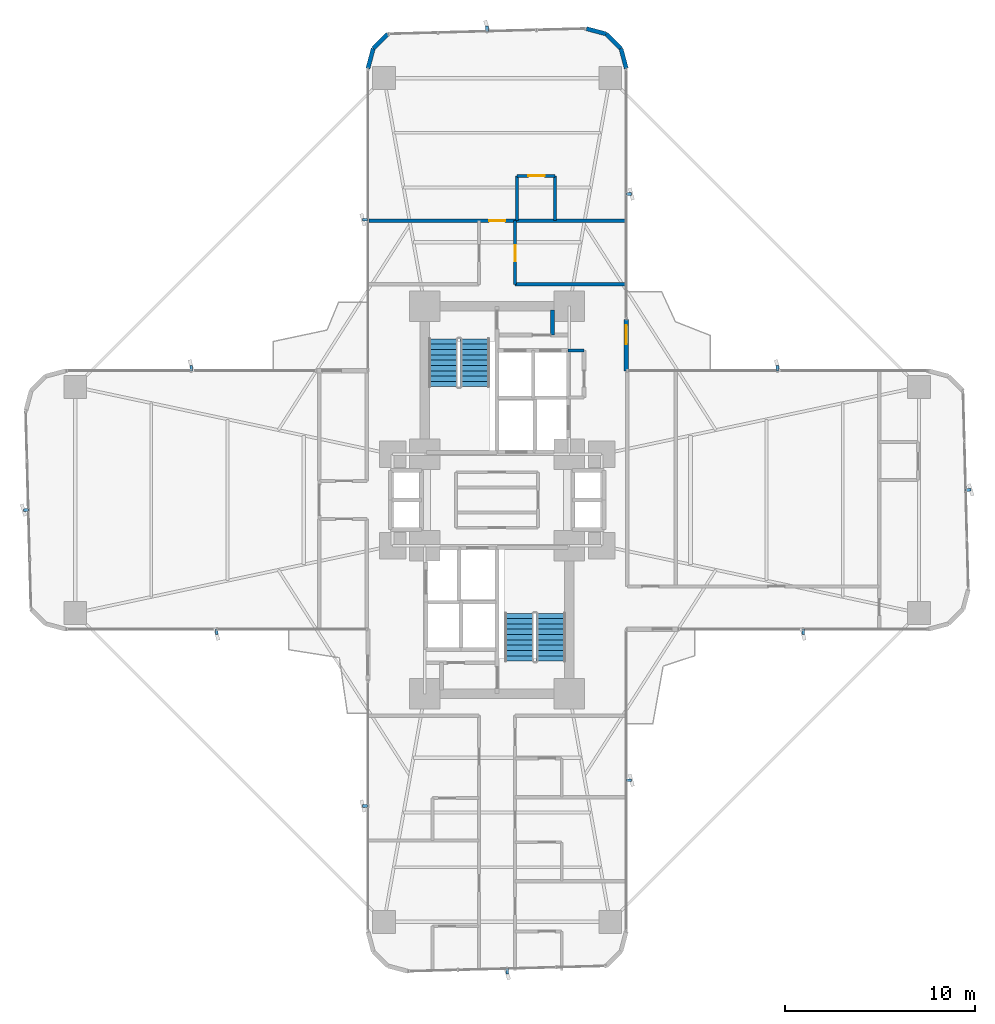
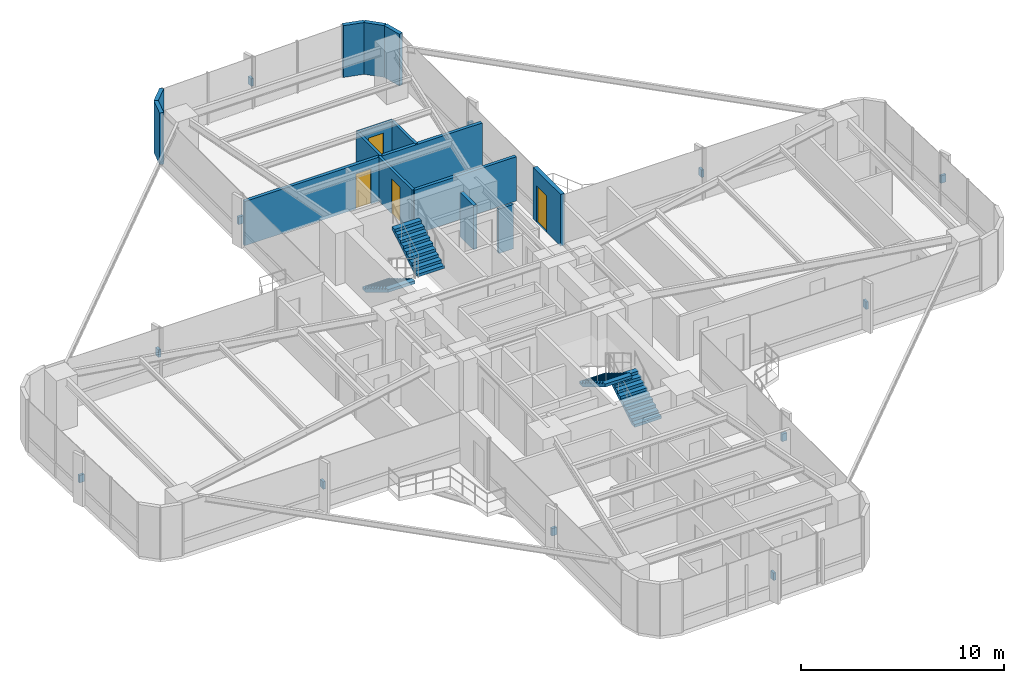
# One storey, part 24 of 25: 14 walls, 12 discrete accessories, 4 doors, 4 stair flights, 4 openings, 2 elements without a shape of their own.
"""IFC4 building model written with IfcOpenShell, lengths in metres."""

import ifcopenshell
import ifcopenshell.guid

model = None  # the IFC model being written
_history = None  # IfcOwnerHistory: only IFC2X3 demands one
_inside = {}  # id of a spatial element -> (the spatial element, [elements in it])
_under = {}  # id of a project, library or spatial element -> (it, [spatial elements below it])
_declared = {}  # id of a project -> (the project, [libraries it declares])
_typed = {}  # id of a type object -> (the type object, [elements of that type])
_made_of = {}  # id of a material, layer set ... -> (it, [elements and type objects made of it])


def new_model(schema):
    """Start an empty IFC model of exactly this schema.

    Asked for "IFC4X3", IfcOpenShell would pick the latest addendum, in which some entities
    have other attributes; the version numbers below select the first issue.
    IFC2X3 requires an IfcOwnerHistory on every rooted entity: one is made here for all.
    """
    global model, _history
    if schema == "IFC4X3":
        model = ifcopenshell.file(schema_version=(4, 3, 0, 0))
    else:
        model = ifcopenshell.file(schema=schema)
    _inside.clear()
    _under.clear()
    _declared.clear()
    _typed.clear()
    _made_of.clear()
    _history = None
    if model.schema == "IFC2X3":
        org = make("IfcOrganization", Name="unknown")
        user = make(
            "IfcPersonAndOrganization",
            ThePerson=make("IfcPerson", FamilyName="unknown"),
            TheOrganization=org,
        )
        app = make(
            "IfcApplication",
            ApplicationDeveloper=org,
            Version="unknown",
            ApplicationFullName="unknown",
            ApplicationIdentifier="unknown",
        )
        _history = make(
            "IfcOwnerHistory",
            OwningUser=user,
            OwningApplication=app,
            ChangeAction="ADDED",
            CreationDate=0,
        )
    return model


def make(cls, **values):
    """One entity of the class cls with the attributes given. An attribute that is None is left unset."""
    return model.create_entity(
        cls, **{name: value for name, value in values.items() if value is not None}
    )


def rooted(cls, **values):
    """An entity with a GlobalId (a new one), such as an element, a storey or a relation."""
    return make(cls, GlobalId=ifcopenshell.guid.new(), OwnerHistory=_history, **values)


def si_unit(unit_type, name, prefix=None):
    """IfcSIUnit, for example si_unit("LENGTHUNIT", "METRE", prefix="MILLI")."""
    return make("IfcSIUnit", UnitType=unit_type, Prefix=prefix, Name=name)


def assignment(units):
    """IfcUnitAssignment: the units of a project."""
    return None if units is None else make("IfcUnitAssignment", Units=units)


def point(xyz):
    """IfcCartesianPoint."""
    return None if xyz is None else make("IfcCartesianPoint", Coordinates=xyz)


def direction(xyz):
    """IfcDirection."""
    return None if xyz is None else make("IfcDirection", DirectionRatios=xyz)


def frame(location, z_axis=None, x_axis=None):
    """IfcAxis2Placement3D, a coordinate frame: its origin and axes. An axis left out is left unset."""
    return make(
        "IfcAxis2Placement3D",
        Location=point(location),
        Axis=direction(z_axis),
        RefDirection=direction(x_axis),
    )


def frame_2d(location, x_axis=None):
    """IfcAxis2Placement2D, a coordinate frame in the plane: its origin and x axis."""
    return make(
        "IfcAxis2Placement2D", Location=point(location), RefDirection=direction(x_axis)
    )


def origin():
    """The frame at (0, 0, 0) with its axes left unset."""
    return frame((0.0, 0.0, 0.0))


def origin_2d():
    """The frame at (0, 0) in the plane with its x axis left unset."""
    return frame_2d((0.0, 0.0))


def place(relative_to, where):
    """IfcLocalPlacement: puts the frame where relative to a parent placement (None: the world)."""
    return make(
        "IfcLocalPlacement", PlacementRelTo=relative_to, RelativePlacement=where
    )


def context(
    kind, dimensions, precision=None, world=None, true_north=None, identifier=None
):
    """IfcGeometricRepresentationContext, for example the 3D "Model" context."""
    return make(
        "IfcGeometricRepresentationContext",
        ContextIdentifier=identifier,
        ContextType=kind,
        CoordinateSpaceDimension=dimensions,
        Precision=precision,
        WorldCoordinateSystem=world,
        TrueNorth=true_north,
    )


def subcontext(parent, identifier, kind, view, scale=None):
    """IfcGeometricRepresentationSubContext, for example "Body" below "Model"."""
    return make(
        "IfcGeometricRepresentationSubContext",
        ContextIdentifier=identifier,
        ContextType=kind,
        ParentContext=parent,
        TargetScale=scale,
        TargetView=view,
    )


def project(units=None, contexts=None):
    """IfcProject with its units and contexts."""
    return rooted(
        "IfcProject",
        Name="project",
        RepresentationContexts=contexts,
        UnitsInContext=assignment(units),
    )


def spatial(cls, under=None, at=None, **own):
    """A site, building, storey or space (cls), placed at a placement, below another one or the project."""
    s = rooted(cls, ObjectPlacement=at, **own)
    if under is not None:
        _under.setdefault(under.id(), (under, []))[1].append(s)
    return s


def polyline(points):
    """IfcPolyline through the points."""
    return make("IfcPolyline", Points=[point(p) for p in points])


def profile(cls, at=None, kind="AREA", **sizes):
    """A parametric profile (cls). Its sizes go by their IFC names, for example OverallWidth=200.0."""
    return make(cls, ProfileType=kind, Position=at, **sizes)


def rectangle(**sizes):
    """IfcRectangleProfileDef."""
    return profile("IfcRectangleProfileDef", **sizes)


def outline(outer, holes=None, kind="AREA"):
    """IfcArbitraryClosedProfileDef: a profile drawn as a closed curve; with holes, ...WithVoids."""
    if holes is None:
        return make("IfcArbitraryClosedProfileDef", ProfileType=kind, OuterCurve=outer)
    return make(
        "IfcArbitraryProfileDefWithVoids",
        ProfileType=kind,
        OuterCurve=outer,
        InnerCurves=holes,
    )


def extrude(swept, where, along, depth):
    """IfcExtrudedAreaSolid: the profile swept, set in the frame where, extruded along a direction by depth."""
    return make(
        "IfcExtrudedAreaSolid",
        SweptArea=swept,
        Position=where,
        ExtrudedDirection=direction(along),
        Depth=depth,
    )


def shape(context_of_items, identifier, shape_type, items):
    """IfcShapeRepresentation: the items that make up one representation, for example the "Body"."""
    return make(
        "IfcShapeRepresentation",
        ContextOfItems=context_of_items,
        RepresentationIdentifier=identifier,
        RepresentationType=shape_type,
        Items=items,
    )


def source(mapping_origin, context_of_items, identifier, shape_type, items):
    """IfcRepresentationMap: a shape defined once, which mapped items show again and again."""
    return make(
        "IfcRepresentationMap",
        MappingOrigin=mapping_origin,
        MappedRepresentation=shape(context_of_items, identifier, shape_type, items),
    )


def transform(
    local_origin,
    x_axis=None,
    y_axis=None,
    z_axis=None,
    scale=None,
    scale2=None,
    scale3=None,
    uniform=True,
):
    """IfcCartesianTransformationOperator3D, or its non-uniform kind. x_axis, y_axis, z_axis: its Axis1, 2, 3."""
    if uniform:
        return make(
            "IfcCartesianTransformationOperator3D",
            Axis1=direction(x_axis),
            Axis2=direction(y_axis),
            LocalOrigin=point(local_origin),
            Scale=scale,
            Axis3=direction(z_axis),
        )
    return make(
        "IfcCartesianTransformationOperator3DnonUniform",
        Axis1=direction(x_axis),
        Axis2=direction(y_axis),
        LocalOrigin=point(local_origin),
        Scale=scale,
        Axis3=direction(z_axis),
        Scale2=scale2,
        Scale3=scale3,
    )


def mapped(mapping_source, mapping_target):
    """IfcMappedItem: shows the shape of a source again, moved by a transform."""
    return make(
        "IfcMappedItem", MappingSource=mapping_source, MappingTarget=mapping_target
    )


def material(Name=None, Category=None):
    """IfcMaterial."""
    return make("IfcMaterial", Name=Name, Category=Category)


def layer(
    of_material, thickness, ventilated=None, Name=None, Category=None, Priority=None
):
    """IfcMaterialLayer: one layer of a wall or slab, of a material (None: an air gap)."""
    return make(
        "IfcMaterialLayer",
        Material=of_material,
        LayerThickness=thickness,
        IsVentilated=ventilated,
        Name=Name,
        Category=Category,
        Priority=Priority,
    )


def layer_set(layers, Name=None):
    """IfcMaterialLayerSet."""
    return make("IfcMaterialLayerSet", MaterialLayers=layers, LayerSetName=Name)


def made_of(thing, what):
    """Note that an element or type object is made of a material, layer set ...; save() writes the relation."""
    if what is not None:
        _made_of.setdefault(what.id(), (what, []))[1].append(thing)
    return thing


def type_object(cls, material=None, **own):
    """A type object (cls), such as IfcWallType, which elements share."""
    return made_of(rooted(cls, **own), material)


def element(
    cls,
    number,
    at=None,
    inside=None,
    cuts=None,
    type_object=None,
    material=None,
    context=None,
    identifier="Body",
    shape_type=None,
    held_by="IfcProductDefinitionShape",
    body=None,
    shapes=None,
    **own,
):
    """One element of the class cls, such as IfcWall. Its Tag is "e" and its number.

    at: its placement. inside: the storey or other place that contains it. cuts: it is an
    opening in that element (IfcRelVoidsElement). A single representation is given by context,
    identifier, shape_type and body (its items); several are given by shapes. held_by: the class
    of the entity that holds the representations. save() writes the other relations.
    """
    e = rooted(cls, Tag="e%d" % number, ObjectPlacement=at, **own)
    if body is not None:
        shapes = [shape(context, identifier, shape_type, body)]
    if shapes is not None:
        e.Representation = make(held_by, Representations=shapes)
    if inside is not None:
        _inside.setdefault(inside.id(), (inside, []))[1].append(e)
    if cuts is not None:
        rooted(
            "IfcRelVoidsElement", RelatingBuildingElement=cuts, RelatedOpeningElement=e
        )
    if type_object is not None:
        _typed.setdefault(type_object.id(), (type_object, []))[1].append(e)
    return made_of(e, material)


def fill(opening, filler):
    """IfcRelFillsElement: the door or window that sits in an opening."""
    return rooted(
        "IfcRelFillsElement",
        RelatingOpeningElement=opening,
        RelatedBuildingElement=filler,
    )


def aggregate(whole, parts):
    """IfcRelAggregates: a whole, such as a stair, and the parts it consists of."""
    return rooted("IfcRelAggregates", RelatingObject=whole, RelatedObjects=parts)


def save(model, path):
    """Write the relations noted so far, then the file.

    IfcRelAggregates (storeys below a building ...), IfcRelContainedInSpatialStructure (elements
    in a storey), IfcRelDefinesByType, IfcRelAssociatesMaterial and IfcRelDeclares: one each for
    every whole, place, type object, material and project.
    """
    for whole, parts in _under.values():
        aggregate(whole, parts)
    for where, things in _inside.values():
        rooted(
            "IfcRelContainedInSpatialStructure",
            RelatedElements=things,
            RelatingStructure=where,
        )
    for kind, things in _typed.values():
        rooted("IfcRelDefinesByType", RelatedObjects=things, RelatingType=kind)
    for what, things in _made_of.values():
        rooted("IfcRelAssociatesMaterial", RelatedObjects=things, RelatingMaterial=what)
    for by, libraries in _declared.values():
        rooted("IfcRelDeclares", RelatingContext=by, RelatedDefinitions=libraries)
    model.write(path)


model = new_model("IFC4")

# Units and contexts
model_context = context("Model", 3, precision=1e-05, world=origin(), true_north=direction((0.0, 1.0)))
body_context = subcontext(model_context, "Body", "Model", "MODEL_VIEW")
ifc_project = project(units=[si_unit("LENGTHUNIT", "METRE"), si_unit("AREAUNIT", "SQUARE_METRE"), si_unit("VOLUMEUNIT", "CUBIC_METRE"), si_unit("PLANEANGLEUNIT", "RADIAN"), si_unit("MASSUNIT", "GRAM", prefix="KILO")], contexts=[model_context])

# Site, building, storey
site_placement = place(None, origin())
site = spatial("IfcSite", under=ifc_project, at=site_placement, CompositionType="ELEMENT")
building_placement = place(site_placement, origin())
building = spatial("IfcBuilding", under=site, at=building_placement, Name="Sahyath Konkavel Grand Hotel", CompositionType="ELEMENT")
storey_placement = place(building_placement, frame((0.0, 0.0, 64.449951171875)))
storey = spatial("IfcBuildingStorey", under=building, at=storey_placement, Name="L17", CompositionType="ELEMENT", Elevation=64.449951171875)

# Wall, opening, door
ifc_material_1 = material(Name="Warm Buff Sandstone Insulated Concrete C40/50", Category="masonry")
ifc_layer_1 = layer(ifc_material_1, 0.219970703125)
ifc_layer_set_1 = layer_set([ifc_layer_1], Name="Warm Buff Sandstone Insulated Concrete C40/50")
wall_type_1 = type_object("IfcWallType", Name="WLL-BALC-THRESH", PredefinedType="STANDARD", material=ifc_layer_set_1)
wall_1_placement = place(storey_placement, frame((6.800048828125, 6.800048828125, 0.0), z_axis=(0.0, 0.0, 1.0), x_axis=(0.0, 1.0, 0.0)))
wall_1 = element("IfcWall", 1, at=wall_1_placement, inside=storey, type_object=wall_type_1, Name="L17 Winter-Garden Threshold Wall 8", PredefinedType="STANDARD", context=body_context, shape_type="SweptSolid", body=[
    extrude(rectangle(XDim=2.699951171875, YDim=0.219970703125, at=frame_2d((1.35009765625, 0.0))), origin(), (0.0, 0.0, 1.0), 3.110107421875),
])
opening_1_placement = place(wall_1_placement, frame((1.39990234375, 0.0, 0.0)))
opening_1 = element("IfcOpeningElement", 2, at=opening_1_placement, cuts=wall_1, Name="Opening D-TR1", PredefinedType="OPENING", context=body_context, shape_type="SweptSolid", body=[
    extrude(rectangle(XDim=1.0, YDim=2.199951171875, at=frame_2d((0.5, 1.10009765625))), frame((0.0, 0.1201171875, 0.0), z_axis=(0.0, -1.0, 0.0), x_axis=(1.0, 0.0, 0.0)), (0.0, 0.0, 1.0), 0.239990234375),
])
ifc_material_2 = material(Name="Anodised Bronze Aluminium & Low-E Glazing", Category="aluminium")
door_type_1 = type_object("IfcDoorType", Name="DR-TERRACE-1000", OperationType="NOTDEFINED", PredefinedType="DOOR", material=ifc_material_2)
shared_shape_1 = source(origin(), body_context, "Body", "SweptSolid", [
    extrude(rectangle(XDim=1.0, YDim=0.050048828125, at=origin_2d()), origin(), (0.0, 0.0, 1.0), 2.199951171875),
])
door_1_placement = place(opening_1_placement, frame((0.5, 0.0, 0.0)))
door_1 = element("IfcDoor", 3, at=door_1_placement, inside=storey, type_object=door_type_1, Name="L17 Winter-Garden Terrace Door 8", OperationType="SINGLE_SWING_LEFT", OverallHeight=2.199951171875, OverallWidth=1.0, PredefinedType="DOOR", context=body_context, shape_type="MappedRepresentation", body=[
    mapped(shared_shape_1, transform((0.0, 0.0, 0.0), scale=1.0)),
])
fill(opening_1, door_1)

# Walls
for number, where, z_axis, x_axis, name in (
    (4, (6.800048828125, 22.699951171875, 0.0), (0.0, 0.0, 1.0), (-0.25872485917, 0.965951058412, 0.0), "L17 Rounded Corner Sandstone Pier 9"),
    (5, (6.518798828125, 23.75, 0.0), (0.0, 0.0, 1.0), (-0.707106781187, 0.707106781187, 0.0), "L17 Rounded Corner Sandstone Pier 10"),
    (6, (5.75, 24.518798828125, 0.0), (0.0, 0.0, 1.0), (-0.965951058412, 0.25872485917, 0.0), "L17 Rounded Corner Sandstone Pier 11"),
    (7, (-5.75, 24.518798828125, 0.0), (0.0, 0.0, 1.0), (-0.707106781187, -0.707106781187, 0.0), "L17 Rounded Corner Sandstone Pier 13"),
    (8, (-6.518798828125, 23.75, 0.0), (0.0, 0.0, 1.0), (-0.25872485917, -0.965951058412, 0.0), "L17 Rounded Corner Sandstone Pier 14"),
):
    element("IfcWall", number, at=place(storey_placement, frame(where, z_axis=z_axis, x_axis=x_axis)), inside=storey, type_object=wall_type_1, Name=name, PredefinedType="STANDARD", context=body_context, shape_type="SweptSolid", body=[
        extrude(rectangle(XDim=1.087158203125, YDim=0.219970703125, at=frame_2d((0.54345703125, 0.0))), origin(), (0.0, 0.0, 1.0), 3.110107421875),
    ])
ifc_material_3 = material(Name="Concrete C40/50", Category="concrete")
ifc_layer_2 = layer(ifc_material_3, 0.199951171875)
ifc_layer_set_2 = layer_set([ifc_layer_2], Name="Concrete C40/50")
wall_type_2 = type_object("IfcWallType", Name="WLL-CORE-200", PredefinedType="SOLIDWALL", material=ifc_layer_set_2)
wall_2_placement = place(storey_placement, frame((2.919921875, 8.679931640625, 0.0), z_axis=(0.0, 0.0, 1.0), x_axis=(0.0, 1.0, 0.0)))
element("IfcWall", 9, at=wall_2_placement, inside=storey, type_object=wall_type_2, Name="L17 Partition NFF-E2", PredefinedType="SOLIDWALL", context=body_context, shape_type="SweptSolid", body=[
    extrude(rectangle(XDim=1.320068359375, YDim=0.199951171875, at=frame_2d((0.66015625, 0.0))), origin(), (0.0, 0.0, 1.0), 2.66015625),
])
ifc_material_4 = material(Name="Twin-Stud Acoustic Gypsum Plasterboard Partition")
ifc_layer_3 = layer(ifc_material_4, 0.179931640625)
ifc_layer_set_3 = layer_set([ifc_layer_3], Name="Twin-Stud Acoustic Gypsum Plasterboard Partition")
wall_type_3 = type_object("IfcWallType", Name="WLL-DEMISE-180", PredefinedType="PARTITIONING", material=ifc_layer_set_3)
wall_3_placement = place(storey_placement, frame((6.75, 11.35009765625, 0.0), z_axis=(0.0, 0.0, 1.0), x_axis=(-1.0, 0.0, 0.0)))
element("IfcWall", 10, at=wall_3_placement, inside=storey, type_object=wall_type_3, Name="L17 Partition N-INR", PredefinedType="PARTITIONING", context=body_context, shape_type="SweptSolid", body=[
    extrude(rectangle(XDim=5.800048828125, YDim=0.179931640625, at=frame_2d((2.89990234375, 0.0))), origin(), (0.0, 0.0, 1.0), 2.66015625),
])

# Wall, opening, door
wall_4_placement = place(storey_placement, frame((6.75, 14.699951171875, 0.0), z_axis=(0.0, 0.0, 1.0), x_axis=(-1.0, 0.0, 0.0)))
wall_4 = element("IfcWall", 11, at=wall_4_placement, inside=storey, type_object=wall_type_3, Name="L17 Partition N-NTIP-END", PredefinedType="PARTITIONING", context=body_context, shape_type="SweptSolid", body=[
    extrude(rectangle(XDim=13.5, YDim=0.179931640625, at=frame_2d((6.75, 0.0))), origin(), (0.0, 0.0, 1.0), 2.66015625),
])
opening_2_placement = place(wall_4_placement, frame((6.324951171875, 0.0, 0.0)))
opening_2 = element("IfcOpeningElement", 12, at=opening_2_placement, cuts=wall_4, Name="Opening D-F06D", PredefinedType="OPENING", context=body_context, shape_type="SweptSolid", body=[
    extrude(rectangle(XDim=0.85009765625, YDim=2.10009765625, at=frame_2d((0.425048828125, 1.050048828125))), frame((0.0, 0.10009765625, 0.0), z_axis=(0.0, -1.0, 0.0), x_axis=(1.0, 0.0, 0.0)), (0.0, 0.0, 1.0), 0.199951171875),
])
ifc_material_5 = material(Name="Fire-Rated Shaft Access Door")
door_type_2 = type_object("IfcDoorType", Name="DR-FD60-850", OperationType="NOTDEFINED", PredefinedType="DOOR", material=ifc_material_5)
shared_shape_2 = source(origin(), body_context, "Body", "SweptSolid", [
    extrude(rectangle(XDim=0.85009765625, YDim=0.050048828125, at=origin_2d()), origin(), (0.0, 0.0, 1.0), 2.10009765625),
])
door_2_placement = place(opening_2_placement, frame((0.425048828125, 0.0, 0.0)))
door_2 = element("IfcDoor", 13, at=door_2_placement, inside=storey, type_object=door_type_2, Name="L17 Door N-NTIP-ED", OperationType="SINGLE_SWING_RIGHT", OverallHeight=2.10009765625, OverallWidth=0.85009765625, PredefinedType="DOOR", context=body_context, shape_type="MappedRepresentation", body=[
    mapped(shared_shape_2, transform((0.0, 0.0, 0.0), scale=1.0)),
])
fill(opening_2, door_2)

# Wall
ifc_material_6 = material(Name="Fire-Rated Gypsum Plasterboard Partition")
ifc_layer_4 = layer(ifc_material_6, 0.14990234375)
ifc_layer_set_4 = layer_set([ifc_layer_4], Name="Fire-Rated Gypsum Plasterboard Partition")
wall_type_4 = type_object("IfcWallType", Name="WLL-PART-150", PredefinedType="PARTITIONING", material=ifc_layer_set_4)
wall_5_placement = place(storey_placement, frame((3.739990234375, 7.860107421875, 0.0), z_axis=(0.0, 0.0, 1.0), x_axis=(1.0, 0.0, 0.0)))
element("IfcWall", 14, at=wall_5_placement, inside=storey, type_object=wall_type_4, Name="L17 Partition NC-FLK-N", PredefinedType="PARTITIONING", context=body_context, shape_type="SweptSolid", body=[
    extrude(rectangle(XDim=0.840087890625, YDim=0.14990234375, at=frame_2d((0.419921875, 0.0))), origin(), (0.0, 0.0, 1.0), 2.66015625),
])

# Wall, opening, door
wall_6_placement = place(storey_placement, frame((0.949951171875, 11.35009765625, 0.0), z_axis=(0.0, 0.0, 1.0), x_axis=(0.0, 1.0, 0.0)))
wall_6 = element("IfcWall", 15, at=wall_6_placement, inside=storey, type_object=wall_type_4, Name="L17 Partition N-CR", PredefinedType="PARTITIONING", context=body_context, shape_type="SweptSolid", body=[
    extrude(rectangle(XDim=3.349853515625, YDim=0.14990234375, at=frame_2d((1.6748046875, 0.0))), origin(), (0.0, 0.0, 1.0), 2.66015625),
])
opening_3_placement = place(wall_6_placement, frame((1.199951171875, 0.0, 0.0)))
opening_3 = element("IfcOpeningElement", 16, at=opening_3_placement, cuts=wall_6, Name="Opening D-F06D", PredefinedType="OPENING", context=body_context, shape_type="SweptSolid", body=[
    extrude(rectangle(XDim=0.85009765625, YDim=2.10009765625, at=frame_2d((0.425048828125, 1.050048828125))), frame((0.0, 0.0849609375, 0.0), z_axis=(0.0, -1.0, 0.0), x_axis=(1.0, 0.0, 0.0)), (0.0, 0.0, 1.0), 0.169921875),
])
door_3_placement = place(opening_3_placement, frame((0.425048828125, 0.0, 0.0)))
door_3 = element("IfcDoor", 17, at=door_3_placement, inside=storey, type_object=door_type_2, Name="L17 Door N-NS3R-D", OperationType="SINGLE_SWING_RIGHT", OverallHeight=2.10009765625, OverallWidth=0.85009765625, PredefinedType="DOOR", context=body_context, shape_type="MappedRepresentation", body=[
    mapped(shared_shape_2, transform((0.0, 0.0, 0.0), scale=1.0)),
])
fill(opening_3, door_3)

# Walls
for number, where, z_axis, x_axis, name in (
    (18, (1.050048828125, 14.699951171875, 0.0), (0.0, 0.0, 1.0), (0.0, 1.0, 0.0), "L17 Partition N-NTIP-BN"),
    (19, (3.050048828125, 14.699951171875, 0.0), (0.0, 0.0, 1.0), (0.0, 1.0, 0.0), "L17 Partition N-NTIP-BS"),
):
    element("IfcWall", number, at=place(storey_placement, frame(where, z_axis=z_axis, x_axis=x_axis)), inside=storey, type_object=wall_type_4, Name=name, PredefinedType="PARTITIONING", context=body_context, shape_type="SweptSolid", body=[
        extrude(rectangle(XDim=2.35009765625, YDim=0.14990234375, at=frame_2d((1.175048828125, 0.0))), origin(), (0.0, 0.0, 1.0), 2.66015625),
    ])

# Wall, opening, door
wall_7_placement = place(storey_placement, frame((3.050048828125, 17.050048828125, 0.0), z_axis=(0.0, 0.0, 1.0), x_axis=(-1.0, 0.0, 0.0)))
wall_7 = element("IfcWall", 20, at=wall_7_placement, inside=storey, type_object=wall_type_4, Name="L17 Partition N-NTIP-BE", PredefinedType="PARTITIONING", context=body_context, shape_type="SweptSolid", body=[
    extrude(rectangle(XDim=2.0, YDim=0.14990234375, at=frame_2d((1.0, 0.0))), origin(), (0.0, 0.0, 1.0), 2.66015625),
])
opening_4_placement = place(wall_7_placement, frame((0.550048828125, 0.0, 0.0)))
opening_4 = element("IfcOpeningElement", 21, at=opening_4_placement, cuts=wall_7, Name="Opening D-BT85", PredefinedType="OPENING", context=body_context, shape_type="SweptSolid", body=[
    extrude(rectangle(XDim=0.85009765625, YDim=2.10009765625, at=frame_2d((0.425048828125, 1.050048828125))), frame((0.0, 0.0849609375, 0.0), z_axis=(0.0, -1.0, 0.0), x_axis=(1.0, 0.0, 0.0)), (0.0, 0.0, 1.0), 0.169921875),
])
ifc_material_7 = material(Name="Moisture-Resistant Teak Bathroom Door")
door_type_3 = type_object("IfcDoorType", Name="DR-BATH-850", OperationType="NOTDEFINED", PredefinedType="DOOR", material=ifc_material_7)
door_4_placement = place(opening_4_placement, frame((0.425048828125, 0.0, 0.0)))
door_4 = element("IfcDoor", 22, at=door_4_placement, inside=storey, type_object=door_type_3, Name="L17 Door N-NTIP-BD", OperationType="SINGLE_SWING_LEFT", OverallHeight=2.10009765625, OverallWidth=0.85009765625, PredefinedType="DOOR", context=body_context, shape_type="MappedRepresentation", body=[
    mapped(shared_shape_2, transform((0.0, 0.0, 0.0), scale=1.0)),
])
fill(opening_4, door_4)

# Stair, stair flights
stair_type = type_object("IfcStairType", Name="STR-ST16-335", PredefinedType="HALF_TURN_STAIR", material=ifc_material_3)
stair_1_placement = place(storey_placement, origin())
stair_1 = element("IfcStair", 23, at=stair_1_placement, inside=storey, type_object=stair_type, Name="L17 North Core Smokeproof Exit Stair ST-1", PredefinedType="HALF_TURN_STAIR")
stair_flight_type = type_object("IfcStairFlightType", Name="STF-ST16-335", PredefinedType="STRAIGHT", material=ifc_material_3)
stair_flight_1_placement = place(storey_placement, frame((-2.840087890625, 8.47998046875, 0.0), z_axis=(0.0, 0.0, 1.0), x_axis=(0.0, -1.0, 0.0)))
stair_flight_1 = element("IfcStairFlight", 24, at=stair_flight_1_placement, type_object=stair_flight_type, Name="ST-1 flight 1", NumberOfRisers=10, NumberOfTreads=9, PredefinedType="STRAIGHT", RiserHeight=0.1675, TreadLength=0.28, context=body_context, shape_type="SweptSolid", body=[
    extrude(outline(polyline([(0.0, 0.0), (0.0, 0.16748046875), (0.280029296875, 0.16748046875), (0.280029296875, 0.3349609375), (0.56005859375, 0.3349609375), (0.56005859375, 0.50244140625), (0.840087890625, 0.50244140625), (0.840087890625, 0.669921875), (1.1201171875, 0.669921875), (1.1201171875, 0.83740234375), (1.39990234375, 0.83740234375), (1.39990234375, 1.0048828125), (1.679931640625, 1.0048828125), (1.679931640625, 1.172607421875), (1.9599609375, 1.172607421875), (1.9599609375, 1.340087890625), (2.239990234375, 1.340087890625), (2.239990234375, 1.507568359375), (2.52001953125, 1.507568359375), (2.52001953125, 1.675048828125), (2.52001953125, 1.332763671875), (0.2919921875, 0.0), (0.0, 0.0)])), frame((0.0, 0.760009765625, 0.0), z_axis=(0.0, -1.0, 0.0), x_axis=(1.0, 0.0, 0.0)), (0.0, 0.0, 1.0), 1.52001953125),
])
stair_flight_2_placement = place(storey_placement, frame((-1.159912109375, 5.9599609375, 1.675048828125), z_axis=(0.0, 0.0, 1.0), x_axis=(0.0, 1.0, 0.0)))
stair_flight_2 = element("IfcStairFlight", 25, at=stair_flight_2_placement, type_object=stair_flight_type, Name="ST-1 flight 2", NumberOfRisers=10, NumberOfTreads=9, PredefinedType="STRAIGHT", RiserHeight=0.1675, TreadLength=0.28, context=body_context, shape_type="SweptSolid", body=[
    extrude(outline(polyline([(0.0, 0.0), (0.0, 0.16748046875), (0.280029296875, 0.16748046875), (0.280029296875, 0.3349609375), (0.56005859375, 0.3349609375), (0.56005859375, 0.50244140625), (0.840087890625, 0.50244140625), (0.840087890625, 0.669921875), (1.1201171875, 0.669921875), (1.1201171875, 0.83740234375), (1.39990234375, 0.83740234375), (1.39990234375, 1.0048828125), (1.679931640625, 1.0048828125), (1.679931640625, 1.172607421875), (1.9599609375, 1.172607421875), (1.9599609375, 1.340087890625), (2.239990234375, 1.340087890625), (2.239990234375, 1.507568359375), (2.52001953125, 1.507568359375), (2.52001953125, 1.675048828125), (2.52001953125, 1.332763671875), (0.2919921875, 0.0), (0.0, 0.0)])), frame((0.0, 0.760009765625, 0.0), z_axis=(0.0, -1.0, 0.0), x_axis=(1.0, 0.0, 0.0)), (0.0, 0.0, 1.0), 1.52001953125),
])
aggregate(stair_1, [stair_flight_1, stair_flight_2])

stair_2_placement = place(storey_placement, origin())
stair_2 = element("IfcStair", 26, at=stair_2_placement, inside=storey, type_object=stair_type, Name="L17 South Core Smokeproof Exit Stair ST-2", PredefinedType="HALF_TURN_STAIR")
stair_flight_3_placement = place(storey_placement, frame((2.840087890625, -8.47998046875, 0.0), z_axis=(0.0, 0.0, 1.0), x_axis=(0.0, 1.0, 0.0)))
stair_flight_3 = element("IfcStairFlight", 27, at=stair_flight_3_placement, type_object=stair_flight_type, Name="ST-2 flight 1", NumberOfRisers=10, NumberOfTreads=9, PredefinedType="STRAIGHT", RiserHeight=0.1675, TreadLength=0.28, context=body_context, shape_type="SweptSolid", body=[
    extrude(outline(polyline([(0.0, 0.0), (0.0, 0.16748046875), (0.280029296875, 0.16748046875), (0.280029296875, 0.3349609375), (0.56005859375, 0.3349609375), (0.56005859375, 0.50244140625), (0.840087890625, 0.50244140625), (0.840087890625, 0.669921875), (1.1201171875, 0.669921875), (1.1201171875, 0.83740234375), (1.39990234375, 0.83740234375), (1.39990234375, 1.0048828125), (1.679931640625, 1.0048828125), (1.679931640625, 1.172607421875), (1.9599609375, 1.172607421875), (1.9599609375, 1.340087890625), (2.239990234375, 1.340087890625), (2.239990234375, 1.507568359375), (2.52001953125, 1.507568359375), (2.52001953125, 1.675048828125), (2.52001953125, 1.332763671875), (0.2919921875, 0.0), (0.0, 0.0)])), frame((0.0, 0.760009765625, 0.0), z_axis=(0.0, -1.0, 0.0), x_axis=(1.0, 0.0, 0.0)), (0.0, 0.0, 1.0), 1.52001953125),
])
stair_flight_4_placement = place(storey_placement, frame((1.159912109375, -5.9599609375, 1.675048828125), z_axis=(0.0, 0.0, 1.0), x_axis=(0.0, -1.0, 0.0)))
stair_flight_4 = element("IfcStairFlight", 28, at=stair_flight_4_placement, type_object=stair_flight_type, Name="ST-2 flight 2", NumberOfRisers=10, NumberOfTreads=9, PredefinedType="STRAIGHT", RiserHeight=0.1675, TreadLength=0.28, context=body_context, shape_type="SweptSolid", body=[
    extrude(outline(polyline([(0.0, 0.0), (0.0, 0.16748046875), (0.280029296875, 0.16748046875), (0.280029296875, 0.3349609375), (0.56005859375, 0.3349609375), (0.56005859375, 0.50244140625), (0.840087890625, 0.50244140625), (0.840087890625, 0.669921875), (1.1201171875, 0.669921875), (1.1201171875, 0.83740234375), (1.39990234375, 0.83740234375), (1.39990234375, 1.0048828125), (1.679931640625, 1.0048828125), (1.679931640625, 1.172607421875), (1.9599609375, 1.172607421875), (1.9599609375, 1.340087890625), (2.239990234375, 1.340087890625), (2.239990234375, 1.507568359375), (2.52001953125, 1.507568359375), (2.52001953125, 1.675048828125), (2.52001953125, 1.332763671875), (0.2919921875, 0.0), (0.0, 0.0)])), frame((0.0, 0.760009765625, 0.0), z_axis=(0.0, -1.0, 0.0), x_axis=(1.0, 0.0, 0.0)), (0.0, 0.0, 1.0), 1.52001953125),
])
aggregate(stair_2, [stair_flight_3, stair_flight_4])

# Discrete accessories
ifc_material_8 = material(Name="Steel E350", Category="steel")
discrete_accessory_type = type_object("IfcDiscreteAccessoryType", Name="ACC-FIN-BRACKET", PredefinedType="BRACKET", material=ifc_material_8)
shared_shape_3 = source(origin(), body_context, "Body", "SweptSolid", [
    extrude(rectangle(XDim=0.280029296875, YDim=0.139892578125, at=origin_2d()), origin(), (0.0, 0.0, 1.0), 0.449951171875),
])
for number, where, z_axis, x_axis, name in (
    (29, (16.10009765625, -6.929931640625, 1.330078125), (0.0, 0.0, 1.0), (0.0, -1.0, 0.0), "L17 Fin Support Bracket F0-1"),
    (30, (24.789306640625, 0.528564453125, 1.330078125), (0.0, 0.0, 1.0), (0.999637867691, 0.026909728301, 0.0), "L17 Fin Support Bracket F4-2"),
    (31, (14.75, 6.929931640625, 1.330078125), (0.0, 0.0, 1.0), (0.0, 1.0, 0.0), "L17 Fin Support Bracket F7-1"),
    (32, (6.929931640625, 16.10009765625, 1.330078125), (0.0, 0.0, 1.0), (1.0, 0.0, 0.0), "L17 Fin Support Bracket F8-1"),
    (33, (-0.528564453125, 24.789306640625, 1.330078125), (0.0, 0.0, 1.0), (-0.026909728301, 0.999637867691, 0.0), "L17 Fin Support Bracket F12-2"),
    (34, (-6.929931640625, 14.75, 1.330078125), (0.0, 0.0, 1.0), (-1.0, 0.0, 0.0), "L17 Fin Support Bracket F15-1"),
    (35, (-16.10009765625, 6.929931640625, 1.330078125), (0.0, 0.0, 1.0), (0.0, 1.0, 0.0), "L17 Fin Support Bracket F16-1"),
    (36, (-24.789306640625, -0.528564453125, 1.330078125), (0.0, 0.0, 1.0), (-0.999637867691, -0.026909728301, 0.0), "L17 Fin Support Bracket F20-2"),
    (37, (-14.75, -6.929931640625, 1.330078125), (0.0, 0.0, 1.0), (0.0, -1.0, 0.0), "L17 Fin Support Bracket F23-1"),
    (38, (-6.929931640625, -16.10009765625, 1.330078125), (0.0, 0.0, 1.0), (-1.0, 0.0, 0.0), "L17 Fin Support Bracket F24-1"),
    (39, (0.528564453125, -24.789306640625, 1.330078125), (0.0, 0.0, 1.0), (0.026909728301, -0.999637867691, 0.0), "L17 Fin Support Bracket F28-2"),
    (40, (6.929931640625, -14.75, 1.330078125), (0.0, 0.0, 1.0), (1.0, 0.0, 0.0), "L17 Fin Support Bracket F31-1"),
):
    element("IfcDiscreteAccessory", number, at=place(storey_placement, frame(where, z_axis=z_axis, x_axis=x_axis)), inside=storey, type_object=discrete_accessory_type, Name=name, PredefinedType="BRACKET", context=body_context, shape_type="MappedRepresentation", body=[
        mapped(shared_shape_3, transform((0.0, 0.0, 0.0), scale=1.0)),
    ])

save(model, "model.ifc")
